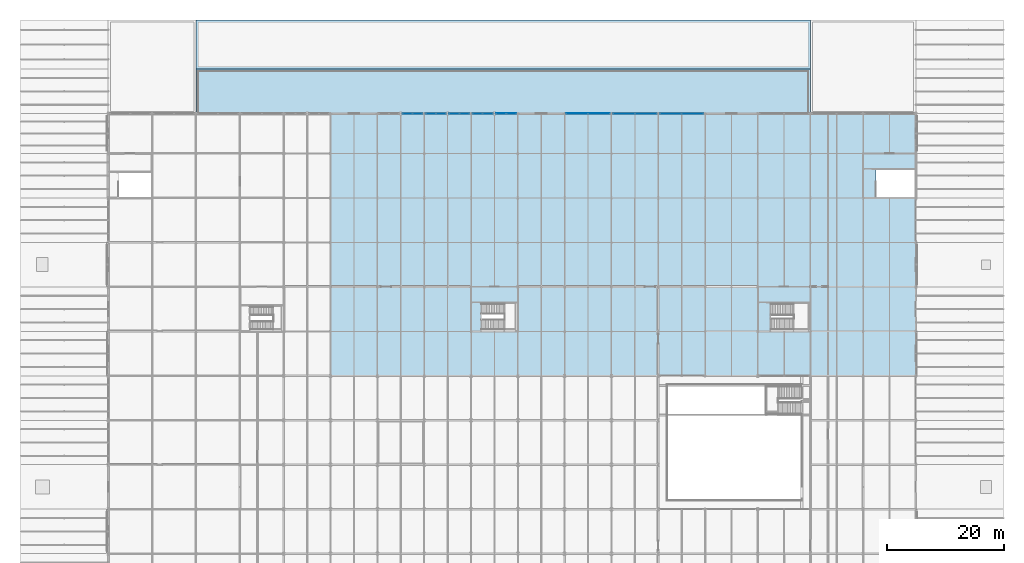
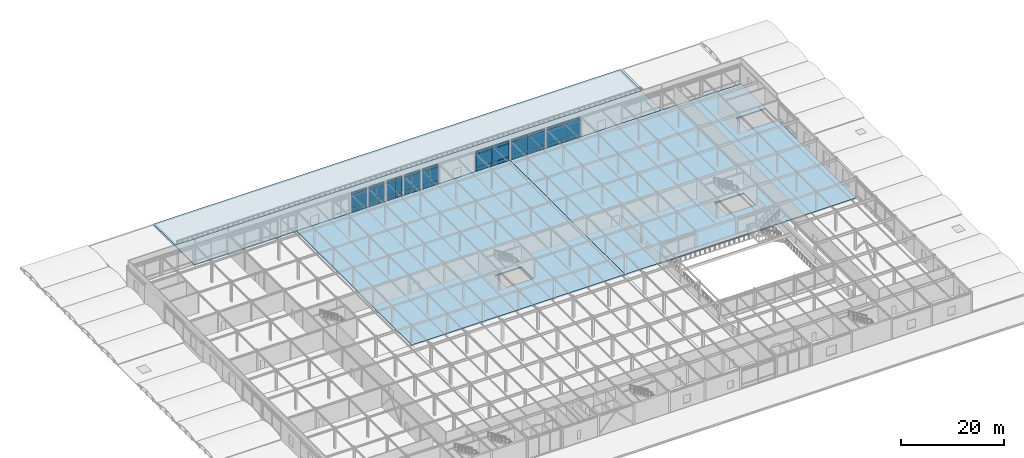
# One storey, part 90 of 113: 48 plates, 4 slabs, 8 elements without a shape of their own.
"""IFC4 building model written with IfcOpenShell, lengths in metres."""

from ifc_helpers import new_model, si_unit, direction, frame, origin, origin_2d, place, context, subcontext, project, spatial, polyline, rectangle, outline, extrude, material, layer, layer_set, type_object, element, aggregate, save


model = new_model("IFC4")

# Units and contexts
model_context = context("Model", 3, precision=1e-05, world=origin(), true_north=direction((0.0, 1.0)))
body_context = subcontext(model_context, "Body", "Model", "MODEL_VIEW")
ifc_project = project(units=[si_unit("LENGTHUNIT", "METRE"), si_unit("AREAUNIT", "SQUARE_METRE"), si_unit("VOLUMEUNIT", "CUBIC_METRE"), si_unit("PLANEANGLEUNIT", "RADIAN"), si_unit("MASSUNIT", "GRAM", prefix="KILO")], contexts=[model_context])

# Site, building, storey
site_placement = place(None, origin())
site = spatial("IfcSite", under=ifc_project, at=site_placement, CompositionType="ELEMENT")
building_placement = place(site_placement, origin())
building = spatial("IfcBuilding", under=site, at=building_placement, Name="Shalkamar Park Central Library", CompositionType="ELEMENT")
storey_placement = place(building_placement, frame((0.0, 0.0, 5.39990234375)))
storey = spatial("IfcBuildingStorey", under=building, at=storey_placement, Name="L02", CompositionType="ELEMENT", Elevation=5.39990234375)

# Slab
ifc_material_1 = material(Name="Concrete C35/45", Category="concrete")
ifc_layer_1 = layer(ifc_material_1, 0.25)
ifc_layer_set_1 = layer_set([ifc_layer_1], Name="Concrete C35/45")
slab_type_1 = type_object("IfcSlabType", Name="Flat Roof Slab 140", PredefinedType="ROOF", material=ifc_layer_set_1)
slab_1_placement = place(storey_placement, frame((0.0, 0.0, -0.25)))
element("IfcSlab", 1, at=slab_1_placement, inside=storey, type_object=slab_type_1, Name="Flat Roof Slab RF-L01-NN", PredefinedType="ROOF", context=body_context, shape_type="SweptSolid", body=[
    extrude(outline(polyline([(150.0, 345.60009765625), (255.0, 345.60009765625), (255.0, 354.0), (150.0, 354.0), (150.0, 345.60009765625)])), origin(), (0.0, 0.0, 1.0), 0.25),
])

# Curtain wall, plates
ifc_material_2 = material(Name="Thermally broken aluminium and triple low-e curtain wall", Category="aluminium")
ifc_layer_2 = layer(ifc_material_2, 0.280029296875)
ifc_layer_set_2 = layer_set([ifc_layer_2], Name="UnitisedCurtainWall_27")
curtain_wall_type_1 = type_object("IfcCurtainWallType", Name="Unitised Curtain Wall 27", PredefinedType="USERDEFINED", material=ifc_layer_set_2)
curtain_wall_1_placement = place(storey_placement, origin())
curtain_wall_1 = element("IfcCurtainWall", 2, at=curtain_wall_1_placement, inside=storey, type_object=curtain_wall_type_1, Name="Unitised Curtain Wall CW-L02-029", ObjectType="UNITISED CURTAIN WALL", PredefinedType="USERDEFINED")
ifc_material_3 = material(Name="Triple-glazed solar-control glass", Category="glass")
ifc_layer_3 = layer(ifc_material_3, 0.031982421875)
ifc_layer_set_3 = layer_set([ifc_layer_3], Name="SolarControlVisionPanel_32")
plate_type_1 = type_object("IfcPlateType", Name="Solar Control Vision Panel 32", PredefinedType="CURTAIN_PANEL", material=ifc_layer_set_3)
plate_1_placement = place(storey_placement, frame((186.150634765625, 338.0, 0.070068359375), z_axis=(0.0, 0.0, 1.0), x_axis=(1.0, 0.0, 0.0)))
plate_1 = element("IfcPlate", 3, at=plate_1_placement, type_object=plate_type_1, Name="CW-27 panel 1.1", PredefinedType="CURTAIN_PANEL", context=body_context, shape_type="SweptSolid", body=[
    extrude(rectangle(XDim=1.641357421875, YDim=0.031982421875, at=origin_2d()), origin(), (0.0, 0.0, 1.0), 0.794921875),
])
plate_2_placement = place(storey_placement, frame((186.150634765625, 338.0, 0.93505859375), z_axis=(0.0, 0.0, 1.0), x_axis=(1.0, 0.0, 0.0)))
plate_2 = element("IfcPlate", 4, at=plate_2_placement, type_object=plate_type_1, Name="CW-27 panel 1.2", PredefinedType="CURTAIN_PANEL", context=body_context, shape_type="SweptSolid", body=[
    extrude(rectangle(XDim=1.641357421875, YDim=0.031982421875, at=origin_2d()), origin(), (0.0, 0.0, 1.0), 3.1298828125),
])
plate_3_placement = place(storey_placement, frame((186.150634765625, 338.0, 4.135009765625), z_axis=(0.0, 0.0, 1.0), x_axis=(1.0, 0.0, 0.0)))
plate_3 = element("IfcPlate", 5, at=plate_3_placement, type_object=plate_type_1, Name="CW-27 panel 1.3", PredefinedType="CURTAIN_PANEL", context=body_context, shape_type="SweptSolid", body=[
    extrude(rectangle(XDim=1.641357421875, YDim=0.031982421875, at=origin_2d()), origin(), (0.0, 0.0, 1.0), 0.64501953125),
])
plate_4_placement = place(storey_placement, frame((187.882080078125, 338.0, 0.070068359375), z_axis=(0.0, 0.0, 1.0), x_axis=(1.0, 0.0, 0.0)))
plate_4 = element("IfcPlate", 6, at=plate_4_placement, type_object=plate_type_1, Name="CW-27 panel 2.1", PredefinedType="CURTAIN_PANEL", context=body_context, shape_type="SweptSolid", body=[
    extrude(rectangle(XDim=1.641357421875, YDim=0.031982421875, at=origin_2d()), origin(), (0.0, 0.0, 1.0), 0.794921875),
])
plate_5_placement = place(storey_placement, frame((187.882080078125, 338.0, 0.93505859375), z_axis=(0.0, 0.0, 1.0), x_axis=(1.0, 0.0, 0.0)))
plate_5 = element("IfcPlate", 7, at=plate_5_placement, type_object=plate_type_1, Name="CW-27 panel 2.2", PredefinedType="CURTAIN_PANEL", context=body_context, shape_type="SweptSolid", body=[
    extrude(rectangle(XDim=1.641357421875, YDim=0.031982421875, at=origin_2d()), origin(), (0.0, 0.0, 1.0), 3.1298828125),
])
plate_6_placement = place(storey_placement, frame((187.882080078125, 338.0, 4.135009765625), z_axis=(0.0, 0.0, 1.0), x_axis=(1.0, 0.0, 0.0)))
plate_6 = element("IfcPlate", 8, at=plate_6_placement, type_object=plate_type_1, Name="CW-27 panel 2.3", PredefinedType="CURTAIN_PANEL", context=body_context, shape_type="SweptSolid", body=[
    extrude(rectangle(XDim=1.641357421875, YDim=0.031982421875, at=origin_2d()), origin(), (0.0, 0.0, 1.0), 0.64501953125),
])
aggregate(curtain_wall_1, [plate_1, plate_2, plate_3, plate_4, plate_5, plate_6])

curtain_wall_2_placement = place(storey_placement, origin())
curtain_wall_2 = element("IfcCurtainWall", 9, at=curtain_wall_2_placement, inside=storey, type_object=curtain_wall_type_1, Name="Unitised Curtain Wall CW-L02-030", ObjectType="UNITISED CURTAIN WALL", PredefinedType="USERDEFINED")
plate_7_placement = place(storey_placement, frame((190.117919921875, 338.0, 0.070068359375), z_axis=(0.0, 0.0, 1.0), x_axis=(1.0, 0.0, 0.0)))
plate_7 = element("IfcPlate", 10, at=plate_7_placement, type_object=plate_type_1, Name="CW-27 panel 1.1", PredefinedType="CURTAIN_PANEL", context=body_context, shape_type="SweptSolid", body=[
    extrude(rectangle(XDim=1.641357421875, YDim=0.031982421875, at=origin_2d()), origin(), (0.0, 0.0, 1.0), 0.794921875),
])
plate_8_placement = place(storey_placement, frame((190.117919921875, 338.0, 0.93505859375), z_axis=(0.0, 0.0, 1.0), x_axis=(1.0, 0.0, 0.0)))
plate_8 = element("IfcPlate", 11, at=plate_8_placement, type_object=plate_type_1, Name="CW-27 panel 1.2", PredefinedType="CURTAIN_PANEL", context=body_context, shape_type="SweptSolid", body=[
    extrude(rectangle(XDim=1.641357421875, YDim=0.031982421875, at=origin_2d()), origin(), (0.0, 0.0, 1.0), 3.1298828125),
])
plate_9_placement = place(storey_placement, frame((190.117919921875, 338.0, 4.135009765625), z_axis=(0.0, 0.0, 1.0), x_axis=(1.0, 0.0, 0.0)))
plate_9 = element("IfcPlate", 12, at=plate_9_placement, type_object=plate_type_1, Name="CW-27 panel 1.3", PredefinedType="CURTAIN_PANEL", context=body_context, shape_type="SweptSolid", body=[
    extrude(rectangle(XDim=1.641357421875, YDim=0.031982421875, at=origin_2d()), origin(), (0.0, 0.0, 1.0), 0.64501953125),
])
plate_10_placement = place(storey_placement, frame((191.849365234375, 338.0, 0.070068359375), z_axis=(0.0, 0.0, 1.0), x_axis=(1.0, 0.0, 0.0)))
plate_10 = element("IfcPlate", 13, at=plate_10_placement, type_object=plate_type_1, Name="CW-27 panel 2.1", PredefinedType="CURTAIN_PANEL", context=body_context, shape_type="SweptSolid", body=[
    extrude(rectangle(XDim=1.641357421875, YDim=0.031982421875, at=origin_2d()), origin(), (0.0, 0.0, 1.0), 0.794921875),
])
plate_11_placement = place(storey_placement, frame((191.849365234375, 338.0, 0.93505859375), z_axis=(0.0, 0.0, 1.0), x_axis=(1.0, 0.0, 0.0)))
plate_11 = element("IfcPlate", 14, at=plate_11_placement, type_object=plate_type_1, Name="CW-27 panel 2.2", PredefinedType="CURTAIN_PANEL", context=body_context, shape_type="SweptSolid", body=[
    extrude(rectangle(XDim=1.641357421875, YDim=0.031982421875, at=origin_2d()), origin(), (0.0, 0.0, 1.0), 3.1298828125),
])
plate_12_placement = place(storey_placement, frame((191.849365234375, 338.0, 4.135009765625), z_axis=(0.0, 0.0, 1.0), x_axis=(1.0, 0.0, 0.0)))
plate_12 = element("IfcPlate", 15, at=plate_12_placement, type_object=plate_type_1, Name="CW-27 panel 2.3", PredefinedType="CURTAIN_PANEL", context=body_context, shape_type="SweptSolid", body=[
    extrude(rectangle(XDim=1.641357421875, YDim=0.031982421875, at=origin_2d()), origin(), (0.0, 0.0, 1.0), 0.64501953125),
])
aggregate(curtain_wall_2, [plate_7, plate_8, plate_9, plate_10, plate_11, plate_12])

ifc_layer_4 = layer(ifc_material_2, 0.27001953125)
ifc_layer_set_4 = layer_set([ifc_layer_4], Name="UnitisedCurtainWall_31")
curtain_wall_type_2 = type_object("IfcCurtainWallType", Name="Unitised Curtain Wall 31", PredefinedType="USERDEFINED", material=ifc_layer_set_4)
curtain_wall_3_placement = place(storey_placement, origin())
curtain_wall_3 = element("IfcCurtainWall", 16, at=curtain_wall_3_placement, inside=storey, type_object=curtain_wall_type_2, Name="Unitised Curtain Wall CW-L02-035", ObjectType="UNITISED CURTAIN WALL", PredefinedType="USERDEFINED")
plate_13_placement = place(storey_placement, frame((223.12353515625, 338.0, 0.06494140625), z_axis=(0.0, 0.0, 1.0), x_axis=(1.0, 0.0, 0.0)))
plate_13 = element("IfcPlate", 17, at=plate_13_placement, type_object=plate_type_1, Name="CW-31 panel 1.1", PredefinedType="CURTAIN_PANEL", context=body_context, shape_type="SweptSolid", body=[
    extrude(rectangle(XDim=3.6728515625, YDim=0.031982421875, at=origin_2d()), origin(), (0.0, 0.0, 1.0), 0.802490234375),
])
plate_14_placement = place(storey_placement, frame((223.12353515625, 338.0, 0.9326171875), z_axis=(0.0, 0.0, 1.0), x_axis=(1.0, 0.0, 0.0)))
plate_14 = element("IfcPlate", 18, at=plate_14_placement, type_object=plate_type_1, Name="CW-31 panel 1.2", PredefinedType="CURTAIN_PANEL", context=body_context, shape_type="SweptSolid", body=[
    extrude(rectangle(XDim=3.6728515625, YDim=0.031982421875, at=origin_2d()), origin(), (0.0, 0.0, 1.0), 3.135009765625),
])
plate_15_placement = place(storey_placement, frame((223.12353515625, 338.0, 4.13232421875), z_axis=(0.0, 0.0, 1.0), x_axis=(1.0, 0.0, 0.0)))
plate_15 = element("IfcPlate", 19, at=plate_15_placement, type_object=plate_type_1, Name="CW-31 panel 1.3", PredefinedType="CURTAIN_PANEL", context=body_context, shape_type="SweptSolid", body=[
    extrude(rectangle(XDim=3.6728515625, YDim=0.031982421875, at=origin_2d()), origin(), (0.0, 0.0, 1.0), 0.652587890625),
])
plate_16_placement = place(storey_placement, frame((226.87646484375, 338.0, 0.06494140625), z_axis=(0.0, 0.0, 1.0), x_axis=(1.0, 0.0, 0.0)))
plate_16 = element("IfcPlate", 20, at=plate_16_placement, type_object=plate_type_1, Name="CW-31 panel 2.1", PredefinedType="CURTAIN_PANEL", context=body_context, shape_type="SweptSolid", body=[
    extrude(rectangle(XDim=3.6728515625, YDim=0.031982421875, at=origin_2d()), origin(), (0.0, 0.0, 1.0), 0.802490234375),
])
plate_17_placement = place(storey_placement, frame((226.87646484375, 338.0, 0.9326171875), z_axis=(0.0, 0.0, 1.0), x_axis=(1.0, 0.0, 0.0)))
plate_17 = element("IfcPlate", 21, at=plate_17_placement, type_object=plate_type_1, Name="CW-31 panel 2.2", PredefinedType="CURTAIN_PANEL", context=body_context, shape_type="SweptSolid", body=[
    extrude(rectangle(XDim=3.6728515625, YDim=0.031982421875, at=origin_2d()), origin(), (0.0, 0.0, 1.0), 3.135009765625),
])
plate_18_placement = place(storey_placement, frame((226.87646484375, 338.0, 4.13232421875), z_axis=(0.0, 0.0, 1.0), x_axis=(1.0, 0.0, 0.0)))
plate_18 = element("IfcPlate", 22, at=plate_18_placement, type_object=plate_type_1, Name="CW-31 panel 2.3", PredefinedType="CURTAIN_PANEL", context=body_context, shape_type="SweptSolid", body=[
    extrude(rectangle(XDim=3.6728515625, YDim=0.031982421875, at=origin_2d()), origin(), (0.0, 0.0, 1.0), 0.652587890625),
])
aggregate(curtain_wall_3, [plate_13, plate_14, plate_15, plate_16, plate_17, plate_18])

ifc_layer_5 = layer(ifc_material_2, 0.2548828125)
ifc_layer_set_5 = layer_set([ifc_layer_5], Name="UnitisedCurtainWall_30")
curtain_wall_type_3 = type_object("IfcCurtainWallType", Name="Unitised Curtain Wall 30", PredefinedType="USERDEFINED", material=ifc_layer_set_5)
curtain_wall_4_placement = place(storey_placement, origin())
curtain_wall_4 = element("IfcCurtainWall", 23, at=curtain_wall_4_placement, inside=storey, type_object=curtain_wall_type_3, Name="Unitised Curtain Wall CW-L02-034", ObjectType="UNITISED CURTAIN WALL", PredefinedType="USERDEFINED")
ifc_material_4 = material(Name="Insulated aluminium spandrel panel", Category="aluminium")
ifc_layer_6 = layer(ifc_material_4, 0.080078125)
ifc_layer_set_6 = layer_set([ifc_layer_6], Name="SpandrelShadowboxPanel_80")
plate_type_2 = type_object("IfcPlateType", Name="Spandrel Shadowbox Panel 80", PredefinedType="CURTAIN_PANEL", material=ifc_layer_set_6)
plate_19_placement = place(storey_placement, frame((215.12353515625, 338.0, 0.06494140625), z_axis=(0.0, 0.0, 1.0), x_axis=(1.0, 0.0, 0.0)))
plate_19 = element("IfcPlate", 24, at=plate_19_placement, type_object=plate_type_2, Name="CW-30 panel 1.1", PredefinedType="CURTAIN_PANEL", context=body_context, shape_type="SweptSolid", body=[
    extrude(rectangle(XDim=3.6728515625, YDim=0.080078125, at=origin_2d()), origin(), (0.0, 0.0, 1.0), 0.802490234375),
])
plate_20_placement = place(storey_placement, frame((215.12353515625, 338.0, 0.9326171875), z_axis=(0.0, 0.0, 1.0), x_axis=(1.0, 0.0, 0.0)))
plate_20 = element("IfcPlate", 25, at=plate_20_placement, type_object=plate_type_2, Name="CW-30 panel 1.2", PredefinedType="CURTAIN_PANEL", context=body_context, shape_type="SweptSolid", body=[
    extrude(rectangle(XDim=3.6728515625, YDim=0.080078125, at=origin_2d()), origin(), (0.0, 0.0, 1.0), 3.135009765625),
])
plate_21_placement = place(storey_placement, frame((215.12353515625, 338.0, 4.13232421875), z_axis=(0.0, 0.0, 1.0), x_axis=(1.0, 0.0, 0.0)))
plate_21 = element("IfcPlate", 26, at=plate_21_placement, type_object=plate_type_2, Name="CW-30 panel 1.3", PredefinedType="CURTAIN_PANEL", context=body_context, shape_type="SweptSolid", body=[
    extrude(rectangle(XDim=3.6728515625, YDim=0.080078125, at=origin_2d()), origin(), (0.0, 0.0, 1.0), 0.652587890625),
])
plate_22_placement = place(storey_placement, frame((218.87646484375, 338.0, 0.06494140625), z_axis=(0.0, 0.0, 1.0), x_axis=(1.0, 0.0, 0.0)))
plate_22 = element("IfcPlate", 27, at=plate_22_placement, type_object=plate_type_2, Name="CW-30 panel 2.1", PredefinedType="CURTAIN_PANEL", context=body_context, shape_type="SweptSolid", body=[
    extrude(rectangle(XDim=3.6728515625, YDim=0.080078125, at=origin_2d()), origin(), (0.0, 0.0, 1.0), 0.802490234375),
])
plate_23_placement = place(storey_placement, frame((218.87646484375, 338.0, 0.9326171875), z_axis=(0.0, 0.0, 1.0), x_axis=(1.0, 0.0, 0.0)))
plate_23 = element("IfcPlate", 28, at=plate_23_placement, type_object=plate_type_2, Name="CW-30 panel 2.2", PredefinedType="CURTAIN_PANEL", context=body_context, shape_type="SweptSolid", body=[
    extrude(rectangle(XDim=3.6728515625, YDim=0.080078125, at=origin_2d()), origin(), (0.0, 0.0, 1.0), 3.135009765625),
])
plate_24_placement = place(storey_placement, frame((218.87646484375, 338.0, 4.13232421875), z_axis=(0.0, 0.0, 1.0), x_axis=(1.0, 0.0, 0.0)))
plate_24 = element("IfcPlate", 29, at=plate_24_placement, type_object=plate_type_2, Name="CW-30 panel 2.3", PredefinedType="CURTAIN_PANEL", context=body_context, shape_type="SweptSolid", body=[
    extrude(rectangle(XDim=3.6728515625, YDim=0.080078125, at=origin_2d()), origin(), (0.0, 0.0, 1.0), 0.652587890625),
])
aggregate(curtain_wall_4, [plate_19, plate_20, plate_21, plate_22, plate_23, plate_24])

# Slabs
ifc_layer_7 = layer(ifc_material_1, 0.260009765625)
ifc_layer_set_7 = layer_set([ifc_layer_7], Name="Concrete C35/45")
slab_type_2 = type_object("IfcSlabType", Name="Suspended Floor Slab 260", PredefinedType="FLOOR", material=ifc_layer_set_7)
slab_2_placement = place(storey_placement, frame((0.0, 0.0, -0.260009765625)))
element("IfcSlab", 30, at=slab_2_placement, inside=storey, type_object=slab_type_2, Name="Level L02 Composite Floor Slab NC", PredefinedType="FLOOR", context=body_context, shape_type="SweptSolid", body=[
    extrude(outline(polyline([(173.0, 293.199951171875), (173.0, 338.0), (221.0, 338.0), (221.0, 293.199951171875), (173.0, 293.199951171875)]), holes=[polyline([(204.824951171875, 305.574951171875), (198.794921875, 305.574951171875), (198.794921875, 300.97509765625), (204.824951171875, 300.97509765625), (204.824951171875, 305.574951171875)])]), origin(), (0.0, 0.0, 1.0), 0.260009765625),
])
slab_3_placement = place(storey_placement, frame((0.0, 0.0, -0.260009765625)))
element("IfcSlab", 31, at=slab_3_placement, inside=storey, type_object=slab_type_2, Name="Level L02 Composite Floor Slab NE", PredefinedType="FLOOR", context=body_context, shape_type="SweptSolid", body=[
    extrude(outline(polyline([(221.0, 293.199951171875), (221.0, 338.0), (273.0, 338.0), (273.0, 293.199951171875), (221.0, 293.199951171875)]), holes=[polyline([(254.824951171875, 300.97509765625), (254.824951171875, 305.574951171875), (248.22509765625, 305.574951171875), (248.22509765625, 300.97509765625), (254.824951171875, 300.97509765625)]), polyline([(272.824951171875, 323.77490234375), (272.824951171875, 328.375), (266.22509765625, 328.375), (266.22509765625, 323.77490234375), (272.824951171875, 323.77490234375)])]), origin(), (0.0, 0.0, 1.0), 0.260009765625),
])
slab_4_placement = place(storey_placement, frame((0.0, 0.0, -0.260009765625)))
element("IfcSlab", 32, at=slab_4_placement, inside=storey, type_object=slab_type_2, Name="Outdoor Reading Terrace Slab TER-L02-N", PredefinedType="FLOOR", context=body_context, shape_type="SweptSolid", body=[
    extrude(outline(polyline([(150.0, 338.0), (255.0, 338.0), (255.0, 345.60009765625), (150.0, 345.60009765625), (150.0, 338.0)])), origin(), (0.0, 0.0, 1.0), 0.260009765625),
])

# Curtain wall, plates
ifc_layer_8 = layer(ifc_material_2, 0.260009765625)
ifc_layer_set_8 = layer_set([ifc_layer_8], Name="UnitisedCurtainWall_29")
curtain_wall_type_4 = type_object("IfcCurtainWallType", Name="Unitised Curtain Wall 29", PredefinedType="USERDEFINED", material=ifc_layer_set_8)
curtain_wall_5_placement = place(storey_placement, origin())
curtain_wall_5 = element("IfcCurtainWall", 33, at=curtain_wall_5_placement, inside=storey, type_object=curtain_wall_type_4, Name="Unitised Curtain Wall CW-L02-033", ObjectType="UNITISED CURTAIN WALL", PredefinedType="USERDEFINED")
ifc_material_5 = material(Name="Triple-glazed laminated glass", Category="glass")
ifc_layer_9 = layer(ifc_material_5, 0.06005859375)
ifc_layer_set_9 = layer_set([ifc_layer_9], Name="TripleGlazedPodiumPanel_60")
plate_type_3 = type_object("IfcPlateType", Name="Triple Glazed Podium Panel 60", PredefinedType="CURTAIN_PANEL", material=ifc_layer_set_9)
plate_25_placement = place(storey_placement, frame((202.14697265625, 338.0, 0.06005859375), z_axis=(0.0, 0.0, 1.0), x_axis=(1.0, 0.0, 0.0)))
plate_25 = element("IfcPlate", 34, at=plate_25_placement, type_object=plate_type_3, Name="CW-29 panel 1.1", PredefinedType="CURTAIN_PANEL", context=body_context, shape_type="SweptSolid", body=[
    extrude(rectangle(XDim=1.663818359375, YDim=0.06005859375, at=origin_2d()), origin(), (0.0, 0.0, 1.0), 0.81005859375),
])
plate_26_placement = place(storey_placement, frame((202.14697265625, 338.0, 0.93017578125), z_axis=(0.0, 0.0, 1.0), x_axis=(1.0, 0.0, 0.0)))
plate_26 = element("IfcPlate", 35, at=plate_26_placement, type_object=plate_type_3, Name="CW-29 panel 1.2", PredefinedType="CURTAIN_PANEL", context=body_context, shape_type="SweptSolid", body=[
    extrude(rectangle(XDim=1.663818359375, YDim=0.06005859375, at=origin_2d()), origin(), (0.0, 0.0, 1.0), 3.139892578125),
])
plate_27_placement = place(storey_placement, frame((202.14697265625, 338.0, 4.13037109375), z_axis=(0.0, 0.0, 1.0), x_axis=(1.0, 0.0, 0.0)))
plate_27 = element("IfcPlate", 36, at=plate_27_placement, type_object=plate_type_3, Name="CW-29 panel 1.3", PredefinedType="CURTAIN_PANEL", context=body_context, shape_type="SweptSolid", body=[
    extrude(rectangle(XDim=1.663818359375, YDim=0.06005859375, at=origin_2d()), origin(), (0.0, 0.0, 1.0), 0.659912109375),
])
plate_28_placement = place(storey_placement, frame((203.8857421875, 338.0, 0.06005859375), z_axis=(0.0, 0.0, 1.0), x_axis=(1.0, 0.0, 0.0)))
plate_28 = element("IfcPlate", 37, at=plate_28_placement, type_object=plate_type_3, Name="CW-29 panel 2.1", PredefinedType="CURTAIN_PANEL", context=body_context, shape_type="SweptSolid", body=[
    extrude(rectangle(XDim=1.663818359375, YDim=0.06005859375, at=origin_2d()), origin(), (0.0, 0.0, 1.0), 0.81005859375),
])
plate_29_placement = place(storey_placement, frame((203.8857421875, 338.0, 0.93017578125), z_axis=(0.0, 0.0, 1.0), x_axis=(1.0, 0.0, 0.0)))
plate_29 = element("IfcPlate", 38, at=plate_29_placement, type_object=plate_type_3, Name="CW-29 panel 2.2", PredefinedType="CURTAIN_PANEL", context=body_context, shape_type="SweptSolid", body=[
    extrude(rectangle(XDim=1.663818359375, YDim=0.06005859375, at=origin_2d()), origin(), (0.0, 0.0, 1.0), 3.139892578125),
])
plate_30_placement = place(storey_placement, frame((203.8857421875, 338.0, 4.13037109375), z_axis=(0.0, 0.0, 1.0), x_axis=(1.0, 0.0, 0.0)))
plate_30 = element("IfcPlate", 39, at=plate_30_placement, type_object=plate_type_3, Name="CW-29 panel 2.3", PredefinedType="CURTAIN_PANEL", context=body_context, shape_type="SweptSolid", body=[
    extrude(rectangle(XDim=1.663818359375, YDim=0.06005859375, at=origin_2d()), origin(), (0.0, 0.0, 1.0), 0.659912109375),
])
aggregate(curtain_wall_5, [plate_25, plate_26, plate_27, plate_28, plate_29, plate_30])

ifc_layer_10 = layer(ifc_material_2, 0.25)
ifc_layer_set_10 = layer_set([ifc_layer_10], Name="UnitisedCurtainWall_28")
curtain_wall_type_5 = type_object("IfcCurtainWallType", Name="Unitised Curtain Wall 28", PredefinedType="USERDEFINED", material=ifc_layer_set_10)
curtain_wall_6_placement = place(storey_placement, origin())
curtain_wall_6 = element("IfcCurtainWall", 40, at=curtain_wall_6_placement, inside=storey, type_object=curtain_wall_type_5, Name="Unitised Curtain Wall CW-L02-031", ObjectType="UNITISED CURTAIN WALL", PredefinedType="USERDEFINED")
ifc_material_6 = material(Name="Triple-glazed low-e safety glass", Category="glass")
ifc_layer_11 = layer(ifc_material_6, 0.0439453125)
ifc_layer_set_11 = layer_set([ifc_layer_11], Name="TripleGlazedVisionPanel_44")
plate_type_4 = type_object("IfcPlateType", Name="Triple Glazed Vision Panel 44", PredefinedType="CURTAIN_PANEL", material=ifc_layer_set_11)
plate_31_placement = place(storey_placement, frame((194.14697265625, 338.0, 0.06005859375), z_axis=(0.0, 0.0, 1.0), x_axis=(1.0, 0.0, 0.0)))
plate_31 = element("IfcPlate", 41, at=plate_31_placement, type_object=plate_type_4, Name="CW-28 panel 1.1", PredefinedType="CURTAIN_PANEL", context=body_context, shape_type="SweptSolid", body=[
    extrude(rectangle(XDim=1.663818359375, YDim=0.0439453125, at=origin_2d()), origin(), (0.0, 0.0, 1.0), 0.81005859375),
])
plate_32_placement = place(storey_placement, frame((194.14697265625, 338.0, 0.93017578125), z_axis=(0.0, 0.0, 1.0), x_axis=(1.0, 0.0, 0.0)))
plate_32 = element("IfcPlate", 42, at=plate_32_placement, type_object=plate_type_4, Name="CW-28 panel 1.2", PredefinedType="CURTAIN_PANEL", context=body_context, shape_type="SweptSolid", body=[
    extrude(rectangle(XDim=1.663818359375, YDim=0.0439453125, at=origin_2d()), origin(), (0.0, 0.0, 1.0), 3.139892578125),
])
plate_33_placement = place(storey_placement, frame((194.14697265625, 338.0, 4.13037109375), z_axis=(0.0, 0.0, 1.0), x_axis=(1.0, 0.0, 0.0)))
plate_33 = element("IfcPlate", 43, at=plate_33_placement, type_object=plate_type_4, Name="CW-28 panel 1.3", PredefinedType="CURTAIN_PANEL", context=body_context, shape_type="SweptSolid", body=[
    extrude(rectangle(XDim=1.663818359375, YDim=0.0439453125, at=origin_2d()), origin(), (0.0, 0.0, 1.0), 0.659912109375),
])
plate_34_placement = place(storey_placement, frame((195.8857421875, 338.0, 0.06005859375), z_axis=(0.0, 0.0, 1.0), x_axis=(1.0, 0.0, 0.0)))
plate_34 = element("IfcPlate", 44, at=plate_34_placement, type_object=plate_type_4, Name="CW-28 panel 2.1", PredefinedType="CURTAIN_PANEL", context=body_context, shape_type="SweptSolid", body=[
    extrude(rectangle(XDim=1.663818359375, YDim=0.0439453125, at=origin_2d()), origin(), (0.0, 0.0, 1.0), 0.81005859375),
])
plate_35_placement = place(storey_placement, frame((195.8857421875, 338.0, 0.93017578125), z_axis=(0.0, 0.0, 1.0), x_axis=(1.0, 0.0, 0.0)))
plate_35 = element("IfcPlate", 45, at=plate_35_placement, type_object=plate_type_4, Name="CW-28 panel 2.2", PredefinedType="CURTAIN_PANEL", context=body_context, shape_type="SweptSolid", body=[
    extrude(rectangle(XDim=1.663818359375, YDim=0.0439453125, at=origin_2d()), origin(), (0.0, 0.0, 1.0), 3.139892578125),
])
plate_36_placement = place(storey_placement, frame((195.8857421875, 338.0, 4.13037109375), z_axis=(0.0, 0.0, 1.0), x_axis=(1.0, 0.0, 0.0)))
plate_36 = element("IfcPlate", 46, at=plate_36_placement, type_object=plate_type_4, Name="CW-28 panel 2.3", PredefinedType="CURTAIN_PANEL", context=body_context, shape_type="SweptSolid", body=[
    extrude(rectangle(XDim=1.663818359375, YDim=0.0439453125, at=origin_2d()), origin(), (0.0, 0.0, 1.0), 0.659912109375),
])
aggregate(curtain_wall_6, [plate_31, plate_32, plate_33, plate_34, plate_35, plate_36])

curtain_wall_7_placement = place(storey_placement, origin())
curtain_wall_7 = element("IfcCurtainWall", 47, at=curtain_wall_7_placement, inside=storey, type_object=curtain_wall_type_5, Name="Unitised Curtain Wall CW-L02-032", ObjectType="UNITISED CURTAIN WALL", PredefinedType="USERDEFINED")
plate_37_placement = place(storey_placement, frame((198.1142578125, 338.0, 0.06005859375), z_axis=(0.0, 0.0, 1.0), x_axis=(1.0, 0.0, 0.0)))
plate_37 = element("IfcPlate", 48, at=plate_37_placement, type_object=plate_type_4, Name="CW-28 panel 1.1", PredefinedType="CURTAIN_PANEL", context=body_context, shape_type="SweptSolid", body=[
    extrude(rectangle(XDim=1.663818359375, YDim=0.0439453125, at=origin_2d()), origin(), (0.0, 0.0, 1.0), 0.81005859375),
])
plate_38_placement = place(storey_placement, frame((198.1142578125, 338.0, 0.93017578125), z_axis=(0.0, 0.0, 1.0), x_axis=(1.0, 0.0, 0.0)))
plate_38 = element("IfcPlate", 49, at=plate_38_placement, type_object=plate_type_4, Name="CW-28 panel 1.2", PredefinedType="CURTAIN_PANEL", context=body_context, shape_type="SweptSolid", body=[
    extrude(rectangle(XDim=1.663818359375, YDim=0.0439453125, at=origin_2d()), origin(), (0.0, 0.0, 1.0), 3.139892578125),
])
plate_39_placement = place(storey_placement, frame((198.1142578125, 338.0, 4.13037109375), z_axis=(0.0, 0.0, 1.0), x_axis=(1.0, 0.0, 0.0)))
plate_39 = element("IfcPlate", 50, at=plate_39_placement, type_object=plate_type_4, Name="CW-28 panel 1.3", PredefinedType="CURTAIN_PANEL", context=body_context, shape_type="SweptSolid", body=[
    extrude(rectangle(XDim=1.663818359375, YDim=0.0439453125, at=origin_2d()), origin(), (0.0, 0.0, 1.0), 0.659912109375),
])
plate_40_placement = place(storey_placement, frame((199.85302734375, 338.0, 0.06005859375), z_axis=(0.0, 0.0, 1.0), x_axis=(1.0, 0.0, 0.0)))
plate_40 = element("IfcPlate", 51, at=plate_40_placement, type_object=plate_type_4, Name="CW-28 panel 2.1", PredefinedType="CURTAIN_PANEL", context=body_context, shape_type="SweptSolid", body=[
    extrude(rectangle(XDim=1.663818359375, YDim=0.0439453125, at=origin_2d()), origin(), (0.0, 0.0, 1.0), 0.81005859375),
])
plate_41_placement = place(storey_placement, frame((199.85302734375, 338.0, 0.93017578125), z_axis=(0.0, 0.0, 1.0), x_axis=(1.0, 0.0, 0.0)))
plate_41 = element("IfcPlate", 52, at=plate_41_placement, type_object=plate_type_4, Name="CW-28 panel 2.2", PredefinedType="CURTAIN_PANEL", context=body_context, shape_type="SweptSolid", body=[
    extrude(rectangle(XDim=1.663818359375, YDim=0.0439453125, at=origin_2d()), origin(), (0.0, 0.0, 1.0), 3.139892578125),
])
plate_42_placement = place(storey_placement, frame((199.85302734375, 338.0, 4.13037109375), z_axis=(0.0, 0.0, 1.0), x_axis=(1.0, 0.0, 0.0)))
plate_42 = element("IfcPlate", 53, at=plate_42_placement, type_object=plate_type_4, Name="CW-28 panel 2.3", PredefinedType="CURTAIN_PANEL", context=body_context, shape_type="SweptSolid", body=[
    extrude(rectangle(XDim=1.663818359375, YDim=0.0439453125, at=origin_2d()), origin(), (0.0, 0.0, 1.0), 0.659912109375),
])
aggregate(curtain_wall_7, [plate_37, plate_38, plate_39, plate_40, plate_41, plate_42])

ifc_layer_12 = layer(ifc_material_2, 0.264892578125)
ifc_layer_set_12 = layer_set([ifc_layer_12], Name="UnitisedCurtainWall_32")
curtain_wall_type_6 = type_object("IfcCurtainWallType", Name="Unitised Curtain Wall 32", PredefinedType="USERDEFINED", material=ifc_layer_set_12)
curtain_wall_8_placement = place(storey_placement, origin())
curtain_wall_8 = element("IfcCurtainWall", 54, at=curtain_wall_8_placement, inside=storey, type_object=curtain_wall_type_6, Name="Unitised Curtain Wall CW-L02-036", ObjectType="UNITISED CURTAIN WALL", PredefinedType="USERDEFINED")
plate_43_placement = place(storey_placement, frame((231.124755859375, 338.0, 0.070068359375), z_axis=(0.0, 0.0, 1.0), x_axis=(1.0, 0.0, 0.0)))
plate_43 = element("IfcPlate", 55, at=plate_43_placement, type_object=plate_type_4, Name="CW-32 panel 1.1", PredefinedType="CURTAIN_PANEL", context=body_context, shape_type="SweptSolid", body=[
    extrude(rectangle(XDim=3.665283203125, YDim=0.0439453125, at=origin_2d()), origin(), (0.0, 0.0, 1.0), 0.794921875),
])
plate_44_placement = place(storey_placement, frame((231.124755859375, 338.0, 0.93505859375), z_axis=(0.0, 0.0, 1.0), x_axis=(1.0, 0.0, 0.0)))
plate_44 = element("IfcPlate", 56, at=plate_44_placement, type_object=plate_type_4, Name="CW-32 panel 1.2", PredefinedType="CURTAIN_PANEL", context=body_context, shape_type="SweptSolid", body=[
    extrude(rectangle(XDim=3.665283203125, YDim=0.0439453125, at=origin_2d()), origin(), (0.0, 0.0, 1.0), 3.1298828125),
])
plate_45_placement = place(storey_placement, frame((231.124755859375, 338.0, 4.135009765625), z_axis=(0.0, 0.0, 1.0), x_axis=(1.0, 0.0, 0.0)))
plate_45 = element("IfcPlate", 57, at=plate_45_placement, type_object=plate_type_4, Name="CW-32 panel 1.3", PredefinedType="CURTAIN_PANEL", context=body_context, shape_type="SweptSolid", body=[
    extrude(rectangle(XDim=3.665283203125, YDim=0.0439453125, at=origin_2d()), origin(), (0.0, 0.0, 1.0), 0.64501953125),
])
plate_46_placement = place(storey_placement, frame((234.875244140625, 338.0, 0.070068359375), z_axis=(0.0, 0.0, 1.0), x_axis=(1.0, 0.0, 0.0)))
plate_46 = element("IfcPlate", 58, at=plate_46_placement, type_object=plate_type_4, Name="CW-32 panel 2.1", PredefinedType="CURTAIN_PANEL", context=body_context, shape_type="SweptSolid", body=[
    extrude(rectangle(XDim=3.665283203125, YDim=0.0439453125, at=origin_2d()), origin(), (0.0, 0.0, 1.0), 0.794921875),
])
plate_47_placement = place(storey_placement, frame((234.875244140625, 338.0, 0.93505859375), z_axis=(0.0, 0.0, 1.0), x_axis=(1.0, 0.0, 0.0)))
plate_47 = element("IfcPlate", 59, at=plate_47_placement, type_object=plate_type_4, Name="CW-32 panel 2.2", PredefinedType="CURTAIN_PANEL", context=body_context, shape_type="SweptSolid", body=[
    extrude(rectangle(XDim=3.665283203125, YDim=0.0439453125, at=origin_2d()), origin(), (0.0, 0.0, 1.0), 3.1298828125),
])
plate_48_placement = place(storey_placement, frame((234.875244140625, 338.0, 4.135009765625), z_axis=(0.0, 0.0, 1.0), x_axis=(1.0, 0.0, 0.0)))
plate_48 = element("IfcPlate", 60, at=plate_48_placement, type_object=plate_type_4, Name="CW-32 panel 2.3", PredefinedType="CURTAIN_PANEL", context=body_context, shape_type="SweptSolid", body=[
    extrude(rectangle(XDim=3.665283203125, YDim=0.0439453125, at=origin_2d()), origin(), (0.0, 0.0, 1.0), 0.64501953125),
])
aggregate(curtain_wall_8, [plate_43, plate_44, plate_45, plate_46, plate_47, plate_48])

save(model, "model.ifc")
